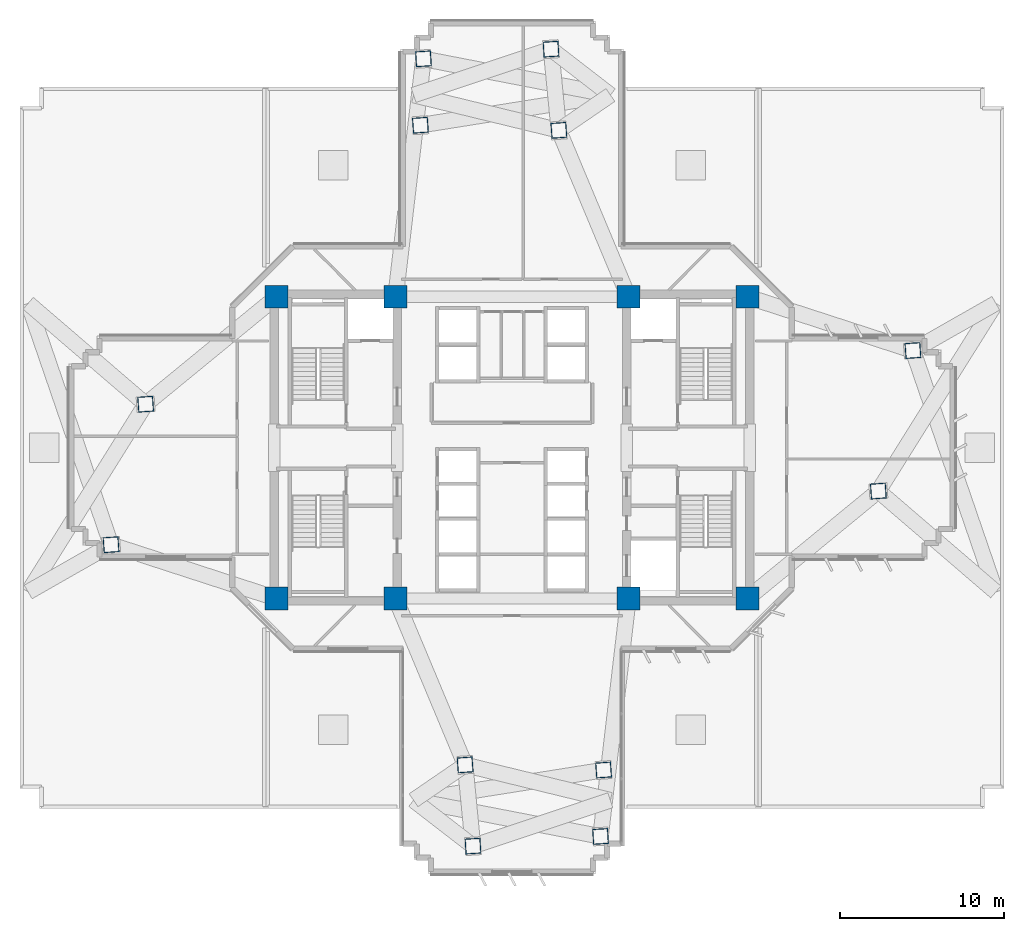
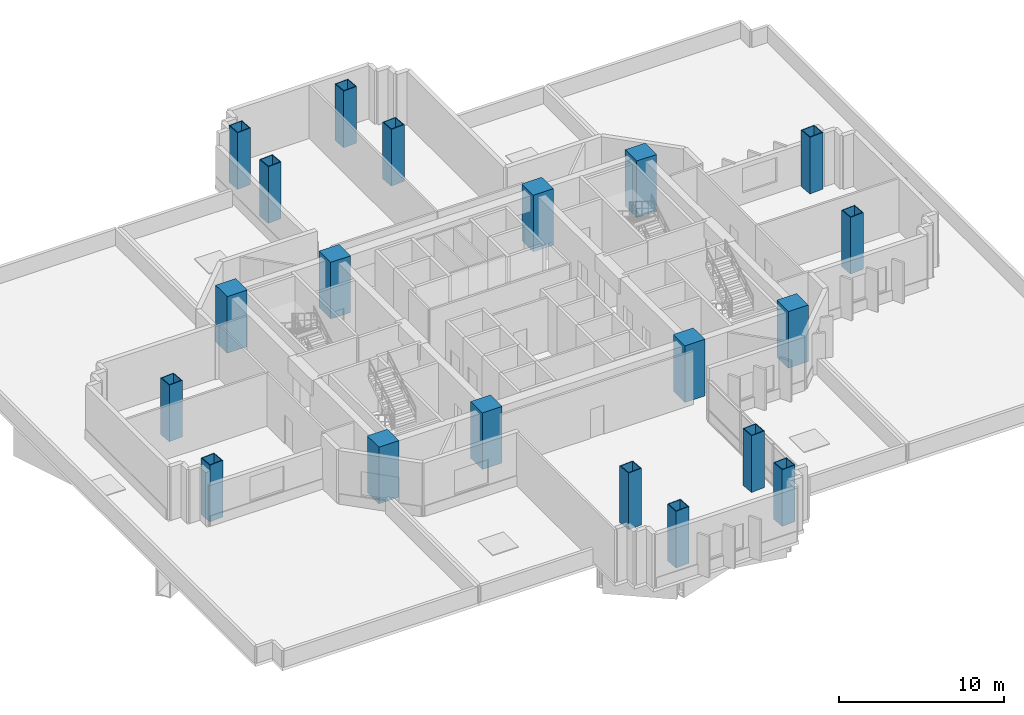
# One storey, part 1 of 15: 20 columns.
"""IFC4 building model written with IfcOpenShell, lengths in metres."""

from ifc_helpers import new_model, si_unit, direction, frame, origin, origin_2d, place, context, subcontext, project, spatial, rectangle, hollow_rectangle, extrude, source, transform, mapped, material, material_profile, profile_set, type_object, element, save


model = new_model("IFC4")

# Units and contexts
model_context = context("Model", 3, precision=1e-05, world=origin(), true_north=direction((0.0, 1.0)))
body_context = subcontext(model_context, "Body", "Model", "MODEL_VIEW")
ifc_project = project(units=[si_unit("LENGTHUNIT", "METRE"), si_unit("AREAUNIT", "SQUARE_METRE"), si_unit("VOLUMEUNIT", "CUBIC_METRE"), si_unit("PLANEANGLEUNIT", "RADIAN"), si_unit("MASSUNIT", "GRAM", prefix="KILO")], contexts=[model_context])

# Site, building, storey
site_placement = place(None, origin())
site = spatial("IfcSite", under=ifc_project, at=site_placement, CompositionType="ELEMENT")
building_placement = place(site_placement, origin())
building = spatial("IfcBuilding", under=site, at=building_placement, Name="Zahravan Cultural Tower", CompositionType="ELEMENT")
storey_placement = place(building_placement, frame((0.0, 0.0, 29.10009765625)))
storey = spatial("IfcBuildingStorey", under=building, at=storey_placement, Name="L05", CompositionType="ELEMENT", Elevation=29.10009765625)

# Columns
ifc_material_1 = material(Name="Concrete C60/75", Category="concrete")
ifc_material_profile_1 = material_profile(ifc_material_1, rectangle(XDim=1.39990234375, YDim=1.39990234375, at=origin_2d()), Name="RC1400X1400")
ifc_profile_set_1 = profile_set([ifc_material_profile_1], Name="Concrete C60/75")
column_type_1 = type_object("IfcColumnType", Name="COL-RC1400", PredefinedType="COLUMN", material=ifc_profile_set_1)
shared_shape_1 = source(origin(), body_context, "Body", "SweptSolid", [
    extrude(rectangle(XDim=1.39990234375, YDim=1.39990234375, at=origin_2d()), origin(), (0.0, 0.0, 1.0), 4.199951171875),
])
for number, where, z_axis, x_axis, name in (
    (1, (21.64990234375, 17.800048828125, 0.0), (0.0, 0.0, 1.0), (1.0, 0.0, 0.0), "L05 Column CC-W1"),
    (2, (28.89990234375, 17.800048828125, 0.0), (0.0, 0.0, 1.0), (1.0, 0.0, 0.0), "L05 Column CC-W2"),
    (3, (21.64990234375, 36.199951171875, 0.0), (0.0, 0.0, 1.0), (1.0, 0.0, 0.0), "L05 Column CC-W3"),
    (4, (28.89990234375, 36.199951171875, 0.0), (0.0, 0.0, 1.0), (1.0, 0.0, 0.0), "L05 Column CC-W4"),
    (5, (43.10009765625, 17.800048828125, 0.0), (0.0, 0.0, 1.0), (1.0, 0.0, 0.0), "L05 Column CC-E1"),
    (6, (50.35009765625, 17.800048828125, 0.0), (0.0, 0.0, 1.0), (1.0, 0.0, 0.0), "L05 Column CC-E2"),
    (7, (43.10009765625, 36.199951171875, 0.0), (0.0, 0.0, 1.0), (1.0, 0.0, 0.0), "L05 Column CC-E3"),
    (8, (50.35009765625, 36.199951171875, 0.0), (0.0, 0.0, 1.0), (1.0, 0.0, 0.0), "L05 Column CC-E4"),
):
    element("IfcColumn", number, at=place(storey_placement, frame(where, z_axis=z_axis, x_axis=x_axis)), inside=storey, type_object=column_type_1, Name=name, PredefinedType="COLUMN", context=body_context, shape_type="MappedRepresentation", body=[
        mapped(shared_shape_1, transform((0.0, 0.0, 0.0), x_axis=(1.0, 0.0, 0.0), y_axis=(0.0, 1.0, 0.0), z_axis=(0.0, 0.0, 1.0), scale=1.0)),
    ])
ifc_material_2 = material(Name="Steel ASTM A572 Grade 50", Category="steel")
ifc_material_profile_2 = material_profile(ifc_material_2, hollow_rectangle(XDim=0.949951171875, YDim=0.949951171875, WallThickness=0.050048828125, at=origin_2d()), Name="BOX950X950X50")
ifc_profile_set_2 = profile_set([ifc_material_profile_2], Name="Steel ASTM A572 Grade 50")
column_type_2 = type_object("IfcColumnType", Name="COL-BOX950", PredefinedType="COLUMN", material=ifc_profile_set_2)
shared_shape_2 = source(origin(), body_context, "Body", "SweptSolid", [
    extrude(hollow_rectangle(XDim=0.949951171875, YDim=0.949951171875, WallThickness=0.050048828125, at=origin_2d()), origin(), (0.0, 0.0, 1.0), 4.199951171875),
])
for number, where, z_axis, x_axis, name in (
    (9, (58.339111328125, 24.351806640625, 0.0), (0.0, 0.0, 1.0), (0.99756405026, 0.069756473744, 0.0), "L05 Column Z1C-E1"),
    (10, (60.446533203125, 32.919677734375, 0.0), (0.0, 0.0, 1.0), (0.99756405026, 0.069756473744, 0.0), "L05 Column Z1C-E2"),
    (11, (38.857421875, 46.346435546875, 0.0), (0.0, 0.0, 1.0), (-0.069756473744, 0.99756405026, 0.0), "L05 Column Z1C-N1"),
    (12, (30.4150390625, 46.658203125, 0.0), (0.0, 0.0, 1.0), (-0.069756473744, 0.99756405026, 0.0), "L05 Column Z1C-N2"),
    (13, (13.660888671875, 29.648193359375, 0.0), (0.0, 0.0, 1.0), (0.99756405026, 0.069756473744, 0.0), "L05 Column Z1C-W1"),
    (14, (11.553466796875, 21.080322265625, 0.0), (0.0, 0.0, 1.0), (0.99756405026, 0.069756473744, 0.0), "L05 Column Z1C-W2"),
    (15, (33.142578125, 7.653564453125, 0.0), (0.0, 0.0, 1.0), (-0.069756473744, 0.99756405026, 0.0), "L05 Column Z1C-S1"),
    (16, (41.5849609375, 7.341796875, 0.0), (0.0, 0.0, 1.0), (-0.069756473744, 0.99756405026, 0.0), "L05 Column Z1C-S2"),
    (17, (38.379150390625, 51.29736328125, 0.0), (0.0, 0.0, 1.0), (-0.062790519529, 0.998026728428, 0.0), "L05 Column Z1T-N1"),
    (18, (30.6005859375, 50.707763671875, 0.0), (0.0, 0.0, 1.0), (-0.062790519529, 0.998026728428, 0.0), "L05 Column Z1T-N2"),
    (19, (33.620849609375, 2.70263671875, 0.0), (0.0, 0.0, 1.0), (-0.062790519529, 0.998026728428, 0.0), "L05 Column Z1T-S1"),
    (20, (41.3994140625, 3.292236328125, 0.0), (0.0, 0.0, 1.0), (-0.062790519529, 0.998026728428, 0.0), "L05 Column Z1T-S2"),
):
    element("IfcColumn", number, at=place(storey_placement, frame(where, z_axis=z_axis, x_axis=x_axis)), inside=storey, type_object=column_type_2, Name=name, PredefinedType="COLUMN", context=body_context, shape_type="MappedRepresentation", body=[
        mapped(shared_shape_2, transform((0.0, 0.0, 0.0), x_axis=(1.0, 0.0, 0.0), y_axis=(0.0, 1.0, 0.0), z_axis=(0.0, 0.0, 1.0), scale=1.0)),
    ])

save(model, "model.ifc")
